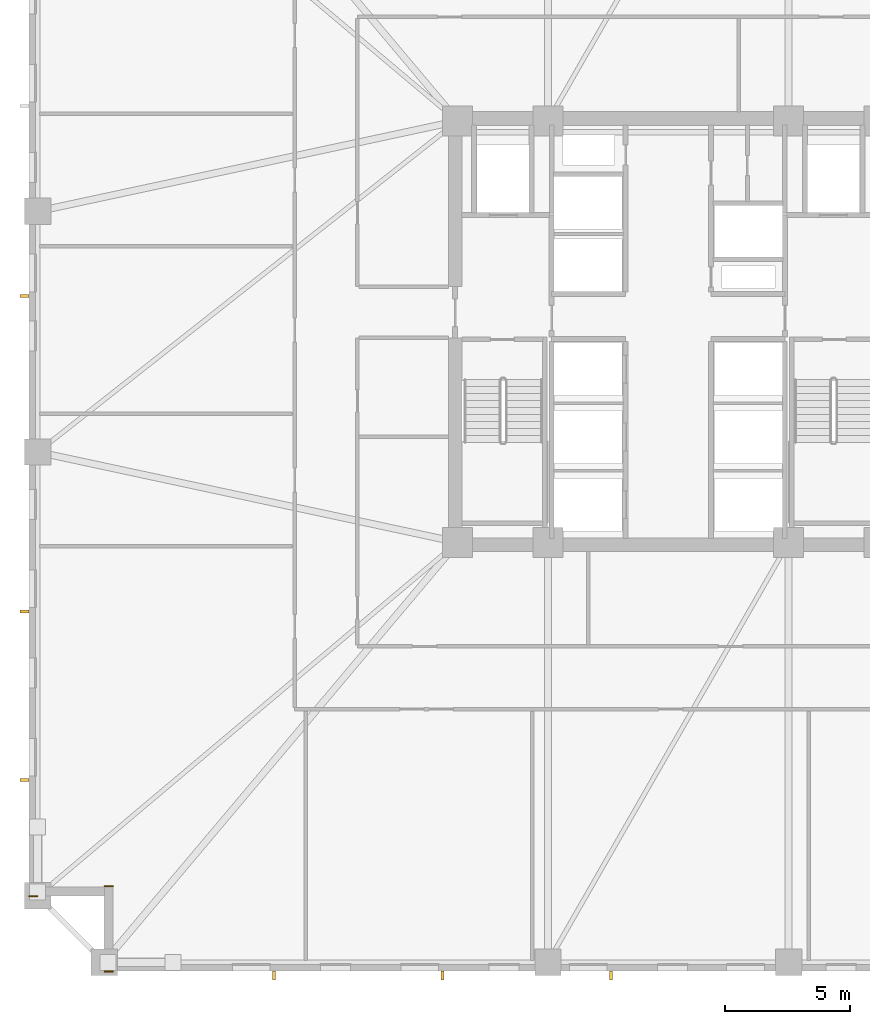
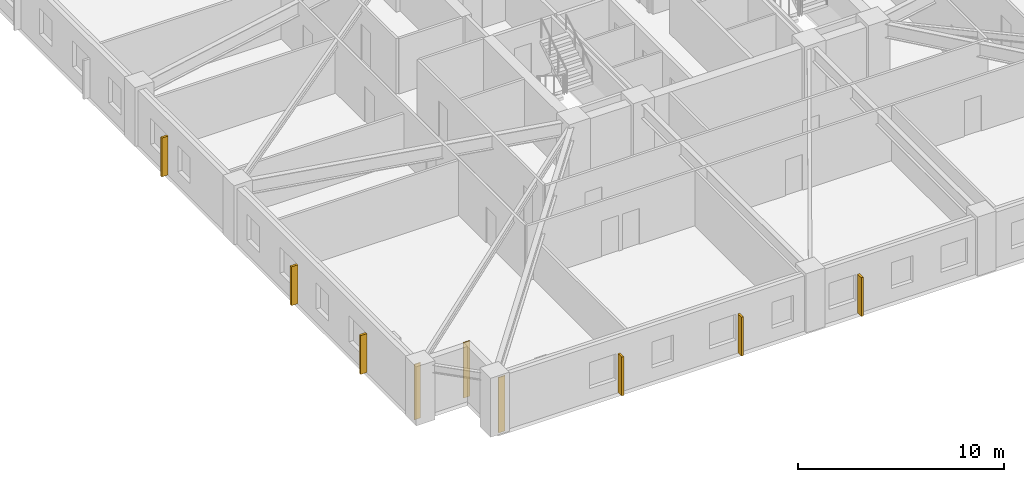
# One storey, part 7 of 11: 6 shading devices, 3 coverings.
"""IFC4 building model written with IfcOpenShell, lengths in metres."""

from ifc_helpers import new_model, si_unit, direction, frame, frame_2d, origin, origin_2d, place, context, subcontext, project, spatial, rectangle, extrude, material, layer, layer_set, type_object, element, save


model = new_model("IFC4")

# Units and contexts
model_context = context("Model", 3, precision=1e-05, world=origin(), true_north=direction((0.0, 1.0)))
body_context = subcontext(model_context, "Body", "Model", "MODEL_VIEW")
ifc_project = project(units=[si_unit("LENGTHUNIT", "METRE"), si_unit("AREAUNIT", "SQUARE_METRE"), si_unit("VOLUMEUNIT", "CUBIC_METRE"), si_unit("PLANEANGLEUNIT", "RADIAN"), si_unit("MASSUNIT", "GRAM", prefix="KILO")], contexts=[model_context])

# Site, building, storey
site_placement = place(None, origin())
site = spatial("IfcSite", under=ifc_project, at=site_placement, CompositionType="ELEMENT")
building_placement = place(site_placement, origin())
building = spatial("IfcBuilding", under=site, at=building_placement, Name="Cairnveth Concourse Tower", CompositionType="ELEMENT")
storey_placement = place(building_placement, frame((0.0, 0.0, 58.5)))
storey = spatial("IfcBuildingStorey", under=building, at=storey_placement, Name="L15", CompositionType="ELEMENT", Elevation=58.5)

# Coverings
ifc_material_1 = material(Name="Dressed Melbourne Bluestone Cladding", Category="masonry")
ifc_layer = layer(ifc_material_1, 0.050048828125)
ifc_layer_set = layer_set([ifc_layer], Name="Dressed Melbourne Bluestone Cladding")
covering_type = type_object("IfcCoveringType", Name="DRESSED BLUESTONE PLINTH CLADDING 50", PredefinedType="CLADDING", material=ifc_layer_set)
for number, where, z_axis, x_axis, name in (
    (1, (29.860107421875, 13.47998046875, 0.0), (0.0, 0.0, 1.0), (-1.0, 0.0, 0.0), "Melbourne Bluestone Corner Quoin L15-187"),
    (2, (29.860107421875, 16.8798828125, 0.0), (0.0, 0.0, 1.0), (-1.0, 0.0, 0.0), "Melbourne Bluestone Corner Quoin L15-188"),
    (3, (26.860107421875, 16.47998046875, 0.0), (0.0, 0.0, 1.0), (-1.0, 0.0, 0.0), "Melbourne Bluestone Corner Quoin L15-189"),
):
    element("IfcCovering", number, at=place(storey_placement, frame(where, z_axis=z_axis, x_axis=x_axis)), inside=storey, type_object=covering_type, Name=name, PredefinedType="CLADDING", context=body_context, shape_type="SweptSolid", body=[
        extrude(rectangle(XDim=0.360107421875, YDim=0.050048828125, at=frame_2d((0.18017578125, 0.0))), origin(), (0.0, 0.0, 1.0), 3.280029296875),
    ])

# Shading devices
ifc_material_2 = material(Name="Architectural Bronze Anodised Aluminium 6063-T6", Category="aluminium")
shading_device_type = type_object("IfcShadingDeviceType", Name="GOTHIC BRONZE VERTICAL LANCET FIN", PredefinedType="USERDEFINED", material=ifc_material_2)
for number, where, z_axis, x_axis, name in (
    (4, (49.71875, 13.324951171875, 0.02978515625), (0.0, 0.0, 1.0), (1.0, 0.0, 0.0), "Gothic Bronze Vertical Fin L15-3-7"),
    (5, (42.99853515625, 13.324951171875, 0.02978515625), (0.0, 0.0, 1.0), (1.0, 0.0, 0.0), "Gothic Bronze Vertical Fin L15-3-9"),
    (6, (36.278076171875, 13.324951171875, 0.02978515625), (0.0, 0.0, 1.0), (1.0, 0.0, 0.0), "Gothic Bronze Vertical Fin L15-3-11"),
    (7, (26.324951171875, 21.1201171875, 0.02978515625), (0.0, 0.0, 1.0), (0.0, 1.0, 0.0), "Gothic Bronze Vertical Fin L15-6-1"),
    (8, (26.324951171875, 27.840576171875, 0.02978515625), (0.0, 0.0, 1.0), (0.0, 1.0, 0.0), "Gothic Bronze Vertical Fin L15-6-3"),
    (9, (26.324951171875, 40.43115234375, 0.02978515625), (0.0, 0.0, 1.0), (0.0, 1.0, 0.0), "Gothic Bronze Vertical Fin L15-6-7"),
):
    element("IfcShadingDevice", number, at=place(storey_placement, frame(where, z_axis=z_axis, x_axis=x_axis)), inside=storey, type_object=shading_device_type, Name=name, ObjectType="VERTICAL FIN", PredefinedType="USERDEFINED", context=body_context, shape_type="SweptSolid", body=[
        extrude(rectangle(XDim=0.1201171875, YDim=0.360107421875, at=origin_2d()), origin(), (0.0, 0.0, 1.0), 2.303955078125),
    ])

save(model, "model.ifc")
